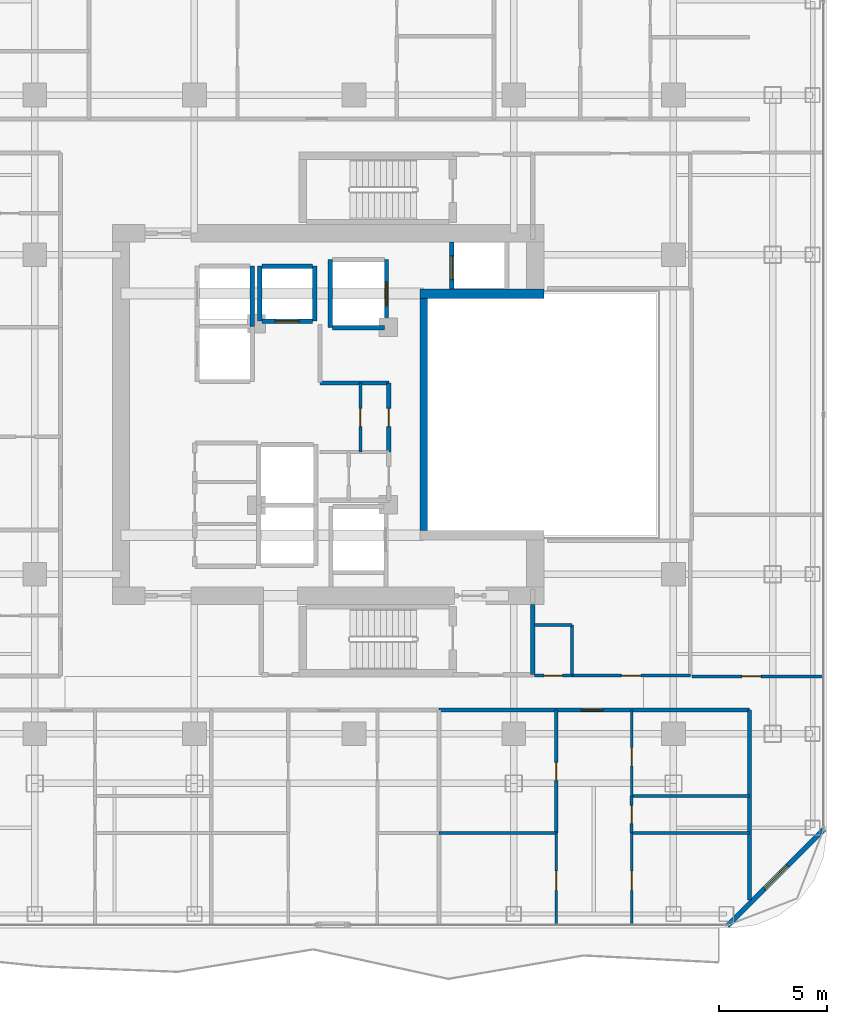
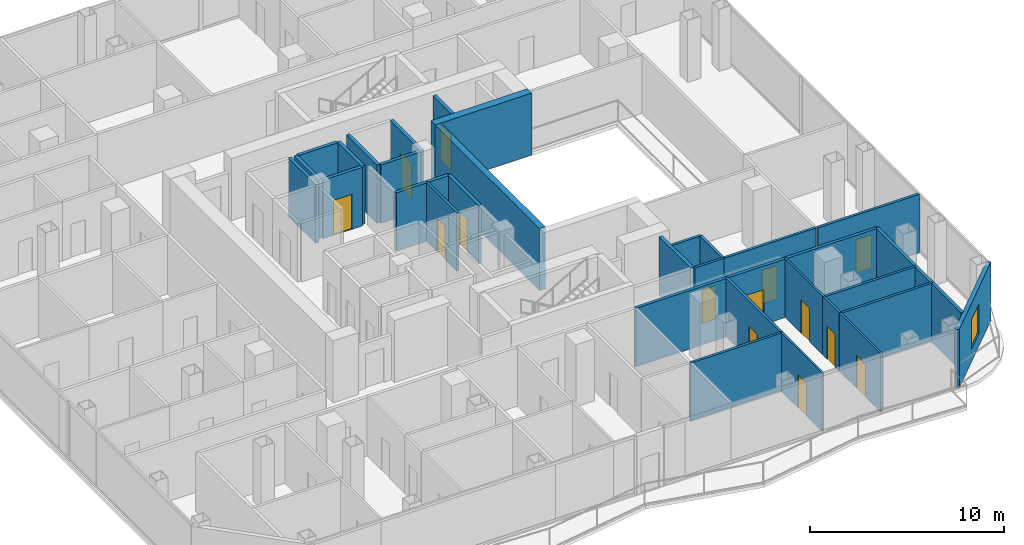
# One storey, part 21 of 27: 31 walls, 14 doors, 1 window, 15 openings.
"""IFC4 building model written with IfcOpenShell, lengths in metres."""

from ifc_helpers import new_model, si_unit, direction, frame, frame_2d, origin, place, context, subcontext, project, spatial, rectangle, extrude, material, layer, layer_set, type_object, element, fill, save


model = new_model("IFC4")

# Units and contexts
model_context = context("Model", 3, precision=1e-05, world=origin(), true_north=direction((0.0, 1.0)))
body_context = subcontext(model_context, "Body", "Model", "MODEL_VIEW")
ifc_project = project(units=[si_unit("LENGTHUNIT", "METRE"), si_unit("AREAUNIT", "SQUARE_METRE"), si_unit("VOLUMEUNIT", "CUBIC_METRE"), si_unit("PLANEANGLEUNIT", "RADIAN"), si_unit("MASSUNIT", "GRAM", prefix="KILO")], contexts=[model_context])

# Site, building, storey
site_placement = place(None, origin())
site = spatial("IfcSite", under=ifc_project, at=site_placement, CompositionType="ELEMENT")
building_placement = place(site_placement, origin())
building = spatial("IfcBuilding", under=site, at=building_placement, Name="Khorvyn Point Tower", CompositionType="ELEMENT")
storey_placement = place(building_placement, frame((0.0, 0.0, 179.699951171875)))
storey = spatial("IfcBuildingStorey", under=building, at=storey_placement, Name="L44", CompositionType="ELEMENT", Elevation=179.699951171875)

# Wall, opening, door
ifc_material_1 = material(Name="Double acoustic gypsum on twin steel stud", Category="steel")
ifc_layer_1 = layer(ifc_material_1, 0.179931640625)
ifc_layer_set_1 = layer_set([ifc_layer_1], Name="Acoustic Double-Stud Apartment Demising Wall 180")
wall_type_1 = type_object("IfcWallType", Name="Acoustic Double-Stud Apartment Demising Wall 180", PredefinedType="PARTITIONING", material=ifc_layer_set_1)
wall_1_placement = place(storey_placement, frame((3.929931640625, -13.699951171875, 0.0), z_axis=(0.0, 0.0, 1.0), x_axis=(1.0, 0.0, 0.0)))
wall_1 = element("IfcWall", 1, at=wall_1_placement, inside=storey, type_object=wall_type_1, Name="Wall", PredefinedType="PARTITIONING", context=body_context, shape_type="SweptSolid", body=[
    extrude(rectangle(XDim=14.39013671875, YDim=0.179931640625, at=frame_2d((7.195068359375, 0.0))), origin(), (0.0, 0.0, 1.0), 3.679931640625),
])
opening_1_placement = place(wall_1_placement, frame((6.60546875, 0.0, 0.0)))
opening_1 = element("IfcOpeningElement", 2, at=opening_1_placement, cuts=wall_1, Name="Opening ID-AP60", PredefinedType="OPENING", context=body_context, shape_type="SweptSolid", body=[
    extrude(rectangle(XDim=1.0, YDim=2.199951171875, at=frame_2d((0.5, 1.10009765625))), frame((0.0, 0.099853515625, 0.0), z_axis=(0.0, -1.0, 0.0), x_axis=(1.0, 0.0, 0.0)), (0.0, 0.0, 1.0), 0.199951171875),
])
ifc_material_2 = material(Name="Engineered hardwood fire-rated leaf", Category="wood")
door_type_1 = type_object("IfcDoorType", Name="Acoustic Solid-Core Timber Apartment Entrance Door 1000x2200", OperationType="NOTDEFINED", PredefinedType="DOOR", material=ifc_material_2)
door_1_placement = place(opening_1_placement, origin())
door_1 = element("IfcDoor", 3, at=door_1_placement, inside=storey, type_object=door_type_1, Name="Door", OperationType="SINGLE_SWING_LEFT", OverallHeight=2.199951171875, OverallWidth=1.0, PredefinedType="DOOR", context=body_context, shape_type="SweptSolid", body=[
    extrude(rectangle(XDim=1.0, YDim=2.199951171875, at=frame_2d((0.5, 1.10009765625))), frame((0.0, 0.02490234375, 0.0), z_axis=(0.0, -1.0, 0.0), x_axis=(1.0, 0.0, 0.0)), (0.0, 0.0, 1.0), 0.050048828125),
])
fill(opening_1, door_1)

# Wall
wall_2_placement = place(storey_placement, frame((18.320068359375, -22.510009765625, 0.0), z_axis=(0.0, 0.0, 1.0), x_axis=(0.0, 1.0, 0.0)))
element("IfcWall", 4, at=wall_2_placement, inside=storey, type_object=wall_type_1, Name="Wall", PredefinedType="PARTITIONING", context=body_context, shape_type="SweptSolid", body=[
    extrude(rectangle(XDim=8.81005859375, YDim=0.179931640625, at=frame_2d((4.405029296875, 0.0))), origin(), (0.0, 0.0, 1.0), 3.679931640625),
])

# Wall, opening, window
ifc_material_3 = material(Name="Pale anodised aluminium rainscreen on steel stud", Category="steel")
ifc_layer_2 = layer(ifc_material_3, 0.239990234375)
ifc_layer_set_2 = layer_set([ifc_layer_2], Name="Anodised Aluminium Insulated Corner Spandrel Wall 240")
wall_type_2 = type_object("IfcWallType", Name="Anodised Aluminium Insulated Corner Spandrel Wall 240", PredefinedType="SOLIDWALL", material=ifc_layer_set_2)
wall_3_placement = place(storey_placement, frame((21.79248046875, -19.20751953125, 0.0), z_axis=(0.0, 0.0, 1.0), x_axis=(-0.707106781187, -0.707106781187, 0.0)))
wall_3 = element("IfcWall", 5, at=wall_3_placement, inside=storey, type_object=wall_type_2, Name="L44 Rounded Corner Wall SE", PredefinedType="SOLIDWALL", context=body_context, shape_type="SweptSolid", body=[
    extrude(rectangle(XDim=6.342529296875, YDim=0.239990234375, at=frame_2d((3.17138671875, 0.0))), origin(), (0.0, 0.0, 1.0), 3.679931640625),
])
opening_2_placement = place(wall_3_placement, frame((2.42138671875, 0.0, 0.800048828125)))
opening_2 = element("IfcOpeningElement", 6, at=opening_2_placement, cuts=wall_3, Name="Opening WN-1518", PredefinedType="OPENING", context=body_context, shape_type="SweptSolid", body=[
    extrude(rectangle(XDim=1.5, YDim=1.85009765625, at=frame_2d((0.75, 0.925048828125))), frame((0.0, 0.1298828125, 0.0), z_axis=(0.0, -1.0, 0.0), x_axis=(1.0, 0.0, 0.0)), (0.0, 0.0, 1.0), 0.260009765625),
])
ifc_material_4 = material(Name="Anodised aluminium 6063-T6 and laminated Low-E glass", Category="aluminium")
window_type = type_object("IfcWindowType", Name="Anodised Aluminium Rounded-Corner Panoramic Window 1500x1850", PartitioningType="SINGLE_PANEL", PredefinedType="WINDOW", material=ifc_material_4)
window_placement = place(opening_2_placement, origin())
window = element("IfcWindow", 7, at=window_placement, inside=storey, type_object=window_type, Name="L44 Corner Panoramic Window SE", OverallHeight=1.85009765625, OverallWidth=1.5, PartitioningType="SINGLE_PANEL", PredefinedType="WINDOW", context=body_context, shape_type="SweptSolid", body=[
    extrude(rectangle(XDim=1.5, YDim=1.85009765625, at=frame_2d((0.75, 0.925048828125))), frame((0.0, 0.030029296875, 0.0), z_axis=(0.0, -1.0, 0.0), x_axis=(1.0, 0.0, 0.0)), (0.0, 0.0, 1.0), 0.06005859375),
])
fill(opening_2, window)

# Wall
ifc_material_5 = material(Name="Concrete C40/50", Category="concrete")
ifc_layer_3 = layer(ifc_material_5, 0.449951171875)
ifc_layer_set_3 = layer_set([ifc_layer_3], Name="Concrete C40/50 Core Shear Wall 450")
wall_type_3 = type_object("IfcWallType", Name="Concrete C40/50 Core Shear Wall 450", PredefinedType="SHEAR", material=ifc_layer_set_3)
wall_4_placement = place(storey_placement, frame((3.044921875, 5.60009765625, 0.0), z_axis=(0.0, 0.0, 1.0), x_axis=(1.0, 0.0, 0.0)))
element("IfcWall", 8, at=wall_4_placement, inside=storey, type_object=wall_type_3, Name="Wall", PredefinedType="SHEAR", context=body_context, shape_type="SweptSolid", body=[
    extrude(rectangle(XDim=5.755126953125, YDim=0.449951171875, at=frame_2d((2.87744140625, 0.0))), origin(), (0.0, 0.0, 1.0), 3.900146484375),
])

# Wall, opening, door
ifc_layer_4 = layer(ifc_material_5, 0.199951171875)
ifc_layer_set_4 = layer_set([ifc_layer_4], Name="Concrete C40/50 Fire-Lobby Compartment Wall 200")
wall_type_4 = type_object("IfcWallType", Name="Concrete C40/50 Fire-Lobby Compartment Wall 200", PredefinedType="SOLIDWALL", material=ifc_layer_set_4)
wall_5_placement = place(storey_placement, frame((1.610107421875, -1.739013671875, 0.0), z_axis=(0.0, 0.0, 1.0), x_axis=(0.0, 1.0, 0.0)))
wall_5 = element("IfcWall", 9, at=wall_5_placement, inside=storey, type_object=wall_type_4, Name="Wall", PredefinedType="SOLIDWALL", context=body_context, shape_type="SweptSolid", body=[
    extrude(rectangle(XDim=3.198974609375, YDim=0.199951171875, at=frame_2d((1.599609375, 0.0))), origin(), (0.0, 0.0, 1.0), 3.679931640625),
])
opening_3_placement = place(wall_5_placement, frame((1.174560546875, 0.0, 0.0)))
opening_3 = element("IfcOpeningElement", 10, at=opening_3_placement, cuts=wall_5, Name="Opening ID-WC85", PredefinedType="OPENING", context=body_context, shape_type="SweptSolid", body=[
    extrude(rectangle(XDim=0.85009765625, YDim=2.10009765625, at=frame_2d((0.425048828125, 1.050048828125))), frame((0.0, 0.10986328125, 0.0), z_axis=(0.0, -1.0, 0.0), x_axis=(1.0, 0.0, 0.0)), (0.0, 0.0, 1.0), 0.219970703125),
])
ifc_material_6 = material(Name="High-pressure laminate on moisture-resistant core", Category="wood")
door_type_2 = type_object("IfcDoorType", Name="Moisture-Resistant Accessible Washroom Door 850x2100", OperationType="NOTDEFINED", PredefinedType="DOOR", material=ifc_material_6)
door_2_placement = place(opening_3_placement, origin())
door_2 = element("IfcDoor", 11, at=door_2_placement, inside=storey, type_object=door_type_2, Name="Door", OperationType="SINGLE_SWING_LEFT", OverallHeight=2.10009765625, OverallWidth=0.85009765625, PredefinedType="DOOR", context=body_context, shape_type="SweptSolid", body=[
    extrude(rectangle(XDim=0.85009765625, YDim=2.10009765625, at=frame_2d((0.425048828125, 1.050048828125))), frame((0.0, 0.02490234375, 0.0), z_axis=(0.0, -1.0, 0.0), x_axis=(1.0, 0.0, 0.0)), (0.0, 0.0, 1.0), 0.050048828125),
])
fill(opening_3, door_2)

# Walls
wall_6_placement = place(storey_placement, frame((8.280029296875, -12.06005859375, 0.0), z_axis=(0.0, 0.0, 1.0), x_axis=(0.0, 1.0, 0.0)))
element("IfcWall", 12, at=wall_6_placement, inside=storey, type_object=wall_type_4, Name="Wall", PredefinedType="SOLIDWALL", context=body_context, shape_type="SweptSolid", body=[
    extrude(rectangle(XDim=3.260009765625, YDim=0.199951171875, at=frame_2d((1.6298828125, 0.0))), origin(), (0.0, 0.0, 1.0), 3.679931640625),
])
wall_7_placement = place(storey_placement, frame((-1.580078125, 1.4599609375, 0.0), z_axis=(0.0, 0.0, 1.0), x_axis=(1.0, 0.0, 0.0)))
element("IfcWall", 13, at=wall_7_placement, inside=storey, type_object=wall_type_4, Name="Wall", PredefinedType="SOLIDWALL", context=body_context, shape_type="SweptSolid", body=[
    extrude(rectangle(XDim=3.190185546875, YDim=0.199951171875, at=frame_2d((1.59521484375, 0.0))), origin(), (0.0, 0.0, 1.0), 3.679931640625),
])
ifc_layer_5 = layer(ifc_material_5, 0.35009765625)
ifc_layer_set_5 = layer_set([ifc_layer_5], Name="Concrete C40/50 Stair Shaft Structural Wall 350")
wall_type_5 = type_object("IfcWallType", Name="Concrete C40/50 Stair Shaft Structural Wall 350", PredefinedType="SHEAR", material=ifc_layer_set_5)
wall_8_placement = place(storey_placement, frame((3.219970703125, -5.375, 0.0), z_axis=(0.0, 0.0, 1.0), x_axis=(0.0, 1.0, 0.0)))
element("IfcWall", 14, at=wall_8_placement, inside=storey, type_object=wall_type_5, Name="Wall", PredefinedType="SHEAR", context=body_context, shape_type="SweptSolid", body=[
    extrude(rectangle(XDim=10.75, YDim=0.35009765625, at=frame_2d((5.375, 0.0))), origin(), (0.0, 0.0, 1.0), 3.900146484375),
])
ifc_layer_6 = layer(ifc_material_5, 0.199951171875)
ifc_layer_set_6 = layer_set([ifc_layer_6], Name="Concrete C40/50 Structural Hoistway and Stair Shaft Wall 200")
wall_type_6 = type_object("IfcWallType", Name="Concrete C40/50 Structural Hoistway and Stair Shaft Wall 200", PredefinedType="SHEAR", material=ifc_layer_set_6)
wall_9_placement = place(storey_placement, frame((-4.72509765625, 4.074951171875, 0.0), z_axis=(0.0, 0.0, 1.0), x_axis=(0.0, 1.0, 0.0)))
element("IfcWall", 15, at=wall_9_placement, inside=storey, type_object=wall_type_6, Name="Wall", PredefinedType="SHEAR", context=body_context, shape_type="SweptSolid", body=[
    extrude(rectangle(XDim=2.800048828125, YDim=0.199951171875, at=frame_2d((1.39990234375, 0.0))), origin(), (0.0, 0.0, 1.0), 3.679931640625),
])
for number, where, z_axis, x_axis, name in (
    (16, (-4.375, 4.324951171875, 0.0), (0.0, 0.0, 1.0), (0.0, 1.0, 0.0), "Wall"),
    (17, (-1.824951171875, 4.324951171875, 0.0), (0.0, 0.0, 1.0), (0.0, 1.0, 0.0), "Wall"),
):
    element("IfcWall", number, at=place(storey_placement, frame(where, z_axis=z_axis, x_axis=x_axis)), inside=storey, type_object=wall_type_6, Name=name, PredefinedType="SHEAR", context=body_context, shape_type="SweptSolid", body=[
        extrude(rectangle(XDim=2.550048828125, YDim=0.199951171875, at=frame_2d((1.27490234375, 0.0))), origin(), (0.0, 0.0, 1.0), 3.679931640625),
    ])

# Wall, opening, door
wall_10_placement = place(storey_placement, frame((-4.27490234375, 4.324951171875, 0.0), z_axis=(0.0, 0.0, 1.0), x_axis=(1.0, 0.0, 0.0)))
wall_10 = element("IfcWall", 18, at=wall_10_placement, inside=storey, type_object=wall_type_6, Name="Wall", PredefinedType="SHEAR", context=body_context, shape_type="SweptSolid", body=[
    extrude(rectangle(XDim=2.349853515625, YDim=0.199951171875, at=frame_2d((1.1748046875, 0.0))), origin(), (0.0, 0.0, 1.0), 3.679931640625),
])
opening_4_placement = place(wall_10_placement, frame((0.625, 0.0, 0.0)))
opening_4 = element("IfcOpeningElement", 19, at=opening_4_placement, cuts=wall_10, Name="Opening LD-1122", PredefinedType="OPENING", context=body_context, shape_type="SweptSolid", body=[
    extrude(rectangle(XDim=1.10009765625, YDim=2.199951171875, at=frame_2d((0.550048828125, 1.10009765625))), frame((0.0, 0.10986328125, 0.0), z_axis=(0.0, -1.0, 0.0), x_axis=(1.0, 0.0, 0.0)), (0.0, 0.0, 1.0), 0.219970703125),
])
ifc_material_7 = material(Name="Stainless steel 1.4301", Category="steel")
door_type_3 = type_object("IfcDoorType", Name="Stainless Steel Automatic Sliding Lift Landing Door 1100x2200", OperationType="SLIDING_TO_LEFT", PredefinedType="DOOR", material=ifc_material_7)
door_3_placement = place(opening_4_placement, origin())
door_3 = element("IfcDoor", 20, at=door_3_placement, inside=storey, type_object=door_type_3, Name="L44 RM-03 Sliding Lift Landing Door", OperationType="SLIDING_TO_LEFT", OverallHeight=2.199951171875, OverallWidth=1.10009765625, PredefinedType="DOOR", context=body_context, shape_type="SweptSolid", body=[
    extrude(rectangle(XDim=1.10009765625, YDim=2.199951171875, at=frame_2d((0.550048828125, 1.10009765625))), frame((0.0, 0.02490234375, 0.0), z_axis=(0.0, -1.0, 0.0), x_axis=(1.0, 0.0, 0.0)), (0.0, 0.0, 1.0), 0.050048828125),
])
fill(opening_4, door_3)

# Walls
wall_11_placement = place(storey_placement, frame((-4.27490234375, 6.875, 0.0), z_axis=(0.0, 0.0, 1.0), x_axis=(1.0, 0.0, 0.0)))
element("IfcWall", 21, at=wall_11_placement, inside=storey, type_object=wall_type_6, Name="Wall", PredefinedType="SHEAR", context=body_context, shape_type="SweptSolid", body=[
    extrude(rectangle(XDim=2.349853515625, YDim=0.199951171875, at=frame_2d((1.1748046875, 0.0))), origin(), (0.0, 0.0, 1.0), 3.679931640625),
])
wall_12_placement = place(storey_placement, frame((-1.10009765625, 4.02490234375, 0.0), z_axis=(0.0, 0.0, 1.0), x_axis=(0.0, 1.0, 0.0)))
element("IfcWall", 22, at=wall_12_placement, inside=storey, type_object=wall_type_6, Name="Wall", PredefinedType="SHEAR", context=body_context, shape_type="SweptSolid", body=[
    extrude(rectangle(XDim=3.150146484375, YDim=0.199951171875, at=frame_2d((1.5751953125, 0.0))), origin(), (0.0, 0.0, 1.0), 3.679931640625),
])

# Wall, opening, door
wall_13_placement = place(storey_placement, frame((1.5, 4.02490234375, 0.0), z_axis=(0.0, 0.0, 1.0), x_axis=(0.0, 1.0, 0.0)))
wall_13 = element("IfcWall", 23, at=wall_13_placement, inside=storey, type_object=wall_type_6, Name="Wall", PredefinedType="SHEAR", context=body_context, shape_type="SweptSolid", body=[
    extrude(rectangle(XDim=3.150146484375, YDim=0.199951171875, at=frame_2d((1.5751953125, 0.0))), origin(), (0.0, 0.0, 1.0), 3.679931640625),
])
opening_5_placement = place(wall_13_placement, frame((1.02490234375, 0.0, 0.0)))
opening_5 = element("IfcOpeningElement", 24, at=opening_5_placement, cuts=wall_13, Name="Opening LD-1122", PredefinedType="OPENING", context=body_context, shape_type="SweptSolid", body=[
    extrude(rectangle(XDim=1.10009765625, YDim=2.199951171875, at=frame_2d((0.550048828125, 1.10009765625))), frame((0.0, 0.10986328125, 0.0), z_axis=(0.0, -1.0, 0.0), x_axis=(1.0, 0.0, 0.0)), (0.0, 0.0, 1.0), 0.219970703125),
])
door_4_placement = place(opening_5_placement, origin())
door_4 = element("IfcDoor", 25, at=door_4_placement, inside=storey, type_object=door_type_3, Name="L44 SV-01 Sliding Lift Landing Door", OperationType="SLIDING_TO_LEFT", OverallHeight=2.199951171875, OverallWidth=1.10009765625, PredefinedType="DOOR", context=body_context, shape_type="SweptSolid", body=[
    extrude(rectangle(XDim=1.10009765625, YDim=2.199951171875, at=frame_2d((0.550048828125, 1.10009765625))), frame((0.0, 0.02490234375, 0.0), z_axis=(0.0, -1.0, 0.0), x_axis=(1.0, 0.0, 0.0)), (0.0, 0.0, 1.0), 0.050048828125),
])
fill(opening_5, door_4)

# Wall
wall_14_placement = place(storey_placement, frame((-1.0, 4.02490234375, 0.0), z_axis=(0.0, 0.0, 1.0), x_axis=(1.0, 0.0, 0.0)))
element("IfcWall", 26, at=wall_14_placement, inside=storey, type_object=wall_type_6, Name="Wall", PredefinedType="SHEAR", context=body_context, shape_type="SweptSolid", body=[
    extrude(rectangle(XDim=2.39990234375, YDim=0.199951171875, at=frame_2d((1.199951171875, 0.0))), origin(), (0.0, 0.0, 1.0), 3.679931640625),
])

# Wall, opening, door
wall_15_placement = place(storey_placement, frame((4.52490234375, 5.824951171875, 0.0), z_axis=(0.0, 0.0, 1.0), x_axis=(0.0, 1.0, 0.0)))
wall_15 = element("IfcWall", 27, at=wall_15_placement, inside=storey, type_object=wall_type_6, Name="Wall", PredefinedType="SHEAR", context=body_context, shape_type="SweptSolid", body=[
    extrude(rectangle(XDim=2.175048828125, YDim=0.199951171875, at=frame_2d((1.08740234375, 0.0))), origin(), (0.0, 0.0, 1.0), 3.679931640625),
])
opening_6_placement = place(wall_15_placement, frame((0.425048828125, 0.0, 0.0)))
opening_6 = element("IfcOpeningElement", 28, at=opening_6_placement, cuts=wall_15, Name="Opening LD-1122", PredefinedType="OPENING", context=body_context, shape_type="SweptSolid", body=[
    extrude(rectangle(XDim=1.10009765625, YDim=2.199951171875, at=frame_2d((0.550048828125, 1.10009765625))), frame((0.0, 0.10986328125, 0.0), z_axis=(0.0, -1.0, 0.0), x_axis=(1.0, 0.0, 0.0)), (0.0, 0.0, 1.0), 0.219970703125),
])
door_5_placement = place(opening_6_placement, origin())
door_5 = element("IfcDoor", 29, at=door_5_placement, inside=storey, type_object=door_type_3, Name="L44 FF-02 Sliding Lift Landing Door", OperationType="SLIDING_TO_LEFT", OverallHeight=2.199951171875, OverallWidth=1.10009765625, PredefinedType="DOOR", context=body_context, shape_type="SweptSolid", body=[
    extrude(rectangle(XDim=1.10009765625, YDim=2.199951171875, at=frame_2d((0.550048828125, 1.10009765625))), frame((0.0, 0.02490234375, 0.0), z_axis=(0.0, -1.0, 0.0), x_axis=(1.0, 0.0, 0.0)), (0.0, 0.0, 1.0), 0.050048828125),
])
fill(opening_6, door_5)

ifc_material_8 = material(Name="Gypsum plasterboard on steel stud", Category="steel")
ifc_layer_7 = layer(ifc_material_8, 0.1201171875)
ifc_layer_set_7 = layer_set([ifc_layer_7], Name="Gypsum Acoustic Stud Room Partition Wall 120")
wall_type_7 = type_object("IfcWallType", Name="Gypsum Acoustic Stud Room Partition Wall 120", PredefinedType="PARTITIONING", material=ifc_layer_set_7)
wall_16_placement = place(storey_placement, frame((9.3720703125, -23.6298828125, 0.0), z_axis=(0.0, 0.0, 1.0), x_axis=(0.0, 1.0, 0.0)))
wall_16 = element("IfcWall", 30, at=wall_16_placement, inside=storey, type_object=wall_type_7, Name="Wall", PredefinedType="PARTITIONING", context=body_context, shape_type="SweptSolid", body=[
    extrude(rectangle(XDim=4.239990234375, YDim=0.1201171875, at=frame_2d((2.1201171875, 0.0))), origin(), (0.0, 0.0, 1.0), 3.679931640625),
])
opening_7_placement = place(wall_16_placement, frame((1.581298828125, 0.0, 0.0)))
opening_7 = element("IfcOpeningElement", 31, at=opening_7_placement, cuts=wall_16, Name="Opening ID-RM90", PredefinedType="OPENING", context=body_context, shape_type="SweptSolid", body=[
    extrude(rectangle(XDim=0.89990234375, YDim=2.10009765625, at=frame_2d((0.449951171875, 1.050048828125))), frame((0.0, 0.070068359375, 0.0), z_axis=(0.0, -1.0, 0.0), x_axis=(1.0, 0.0, 0.0)), (0.0, 0.0, 1.0), 0.14013671875),
])
ifc_material_9 = material(Name="Engineered oak veneer timber", Category="wood")
door_type_4 = type_object("IfcDoorType", Name="Flush Engineered Timber Room Door 900x2100", OperationType="NOTDEFINED", PredefinedType="DOOR", material=ifc_material_9)
door_6_placement = place(opening_7_placement, origin())
door_6 = element("IfcDoor", 32, at=door_6_placement, inside=storey, type_object=door_type_4, Name="Door", OperationType="SINGLE_SWING_LEFT", OverallHeight=2.10009765625, OverallWidth=0.89990234375, PredefinedType="DOOR", context=body_context, shape_type="SweptSolid", body=[
    extrude(rectangle(XDim=0.89990234375, YDim=2.10009765625, at=frame_2d((0.449951171875, 1.050048828125))), frame((0.0, 0.02490234375, 0.0), z_axis=(0.0, -1.0, 0.0), x_axis=(1.0, 0.0, 0.0)), (0.0, 0.0, 1.0), 0.050048828125),
])
fill(opening_7, door_6)

wall_17_placement = place(storey_placement, frame((12.85888671875, -17.68310546875, 0.0), z_axis=(0.0, 0.0, 1.0), x_axis=(0.0, 1.0, 0.0)))
wall_17 = element("IfcWall", 33, at=wall_17_placement, inside=storey, type_object=wall_type_7, Name="Wall", PredefinedType="PARTITIONING", context=body_context, shape_type="SweptSolid", body=[
    extrude(rectangle(XDim=3.983154296875, YDim=0.1201171875, at=frame_2d((1.99169921875, 0.0))), origin(), (0.0, 0.0, 1.0), 3.679931640625),
])
opening_8_placement = place(wall_17_placement, frame((1.390625, 0.0, 0.0)))
opening_8 = element("IfcOpeningElement", 34, at=opening_8_placement, cuts=wall_17, Name="Opening ID-WC85", PredefinedType="OPENING", context=body_context, shape_type="SweptSolid", body=[
    extrude(rectangle(XDim=0.85009765625, YDim=2.10009765625, at=frame_2d((0.425048828125, 1.050048828125))), frame((0.0, 0.070068359375, 0.0), z_axis=(0.0, -1.0, 0.0), x_axis=(1.0, 0.0, 0.0)), (0.0, 0.0, 1.0), 0.14013671875),
])
door_7_placement = place(opening_8_placement, origin())
door_7 = element("IfcDoor", 35, at=door_7_placement, inside=storey, type_object=door_type_2, Name="Door", OperationType="SINGLE_SWING_LEFT", OverallHeight=2.10009765625, OverallWidth=0.85009765625, PredefinedType="DOOR", context=body_context, shape_type="SweptSolid", body=[
    extrude(rectangle(XDim=0.85009765625, YDim=2.10009765625, at=frame_2d((0.425048828125, 1.050048828125))), frame((0.0, 0.02490234375, 0.0), z_axis=(0.0, -1.0, 0.0), x_axis=(1.0, 0.0, 0.0)), (0.0, 0.0, 1.0), 0.050048828125),
])
fill(opening_8, door_7)

wall_18_placement = place(storey_placement, frame((12.85888671875, -23.6298828125, 0.0), z_axis=(0.0, 0.0, 1.0), x_axis=(0.0, 1.0, 0.0)))
wall_18 = element("IfcWall", 36, at=wall_18_placement, inside=storey, type_object=wall_type_7, Name="Wall", PredefinedType="PARTITIONING", context=body_context, shape_type="SweptSolid", body=[
    extrude(rectangle(XDim=4.239990234375, YDim=0.1201171875, at=frame_2d((2.1201171875, 0.0))), origin(), (0.0, 0.0, 1.0), 3.679931640625),
])
opening_9_placement = place(wall_18_placement, frame((1.581298828125, 0.0, 0.0)))
opening_9 = element("IfcOpeningElement", 37, at=opening_9_placement, cuts=wall_18, Name="Opening ID-RM90", PredefinedType="OPENING", context=body_context, shape_type="SweptSolid", body=[
    extrude(rectangle(XDim=0.89990234375, YDim=2.10009765625, at=frame_2d((0.449951171875, 1.050048828125))), frame((0.0, 0.070068359375, 0.0), z_axis=(0.0, -1.0, 0.0), x_axis=(1.0, 0.0, 0.0)), (0.0, 0.0, 1.0), 0.14013671875),
])
door_8_placement = place(opening_9_placement, origin())
door_8 = element("IfcDoor", 38, at=door_8_placement, inside=storey, type_object=door_type_4, Name="Door", OperationType="SINGLE_SWING_RIGHT", OverallHeight=2.10009765625, OverallWidth=0.89990234375, PredefinedType="DOOR", context=body_context, shape_type="SweptSolid", body=[
    extrude(rectangle(XDim=0.89990234375, YDim=2.10009765625, at=frame_2d((0.449951171875, 1.050048828125))), frame((0.0, 0.02490234375, 0.0), z_axis=(0.0, -1.0, 0.0), x_axis=(1.0, 0.0, 0.0)), (0.0, 0.0, 1.0), 0.050048828125),
])
fill(opening_9, door_8)

ifc_material_10 = material(Name="Moisture-resistant gypsum and cement board", Category="gypsum")
ifc_layer_8 = layer(ifc_material_10, 0.14990234375)
ifc_layer_set_8 = layer_set([ifc_layer_8], Name="Moisture-Resistant Wet-Room Partition Wall 150")
wall_type_8 = type_object("IfcWallType", Name="Moisture-Resistant Wet-Room Partition Wall 150", PredefinedType="PARTITIONING", material=ifc_layer_set_8)
wall_19_placement = place(storey_placement, frame((0.2900390625, -1.739013671875, 0.0), z_axis=(0.0, 0.0, 1.0), x_axis=(0.0, 1.0, 0.0)))
wall_19 = element("IfcWall", 39, at=wall_19_placement, inside=storey, type_object=wall_type_8, Name="Wall", PredefinedType="PARTITIONING", context=body_context, shape_type="SweptSolid", body=[
    extrude(rectangle(XDim=3.198974609375, YDim=0.14990234375, at=frame_2d((1.599609375, 0.0))), origin(), (0.0, 0.0, 1.0), 3.679931640625),
])
opening_10_placement = place(wall_19_placement, frame((1.174560546875, 0.0, 0.0)))
opening_10 = element("IfcOpeningElement", 40, at=opening_10_placement, cuts=wall_19, Name="Opening ID-WC85", PredefinedType="OPENING", context=body_context, shape_type="SweptSolid", body=[
    extrude(rectangle(XDim=0.85009765625, YDim=2.10009765625, at=frame_2d((0.425048828125, 1.050048828125))), frame((0.0, 0.0849609375, 0.0), z_axis=(0.0, -1.0, 0.0), x_axis=(1.0, 0.0, 0.0)), (0.0, 0.0, 1.0), 0.169921875),
])
door_9_placement = place(opening_10_placement, origin())
door_9 = element("IfcDoor", 41, at=door_9_placement, inside=storey, type_object=door_type_2, Name="Door", OperationType="SINGLE_SWING_LEFT", OverallHeight=2.10009765625, OverallWidth=0.85009765625, PredefinedType="DOOR", context=body_context, shape_type="SweptSolid", body=[
    extrude(rectangle(XDim=0.85009765625, YDim=2.10009765625, at=frame_2d((0.425048828125, 1.050048828125))), frame((0.0, 0.02490234375, 0.0), z_axis=(0.0, -1.0, 0.0), x_axis=(1.0, 0.0, 0.0)), (0.0, 0.0, 1.0), 0.050048828125),
])
fill(opening_10, door_9)

wall_20_placement = place(storey_placement, frame((8.360107421875, -12.10009765625, 0.0), z_axis=(0.0, 0.0, 1.0), x_axis=(1.0, 0.0, 0.0)))
wall_20 = element("IfcWall", 42, at=wall_20_placement, inside=storey, type_object=wall_type_8, Name="Wall", PredefinedType="PARTITIONING", context=body_context, shape_type="SweptSolid", body=[
    extrude(rectangle(XDim=1.739990234375, YDim=0.14990234375, at=frame_2d((0.8701171875, 0.0))), origin(), (0.0, 0.0, 1.0), 3.679931640625),
])
opening_11_placement = place(wall_20_placement, frame((0.445068359375, 0.0, 0.0)))
opening_11 = element("IfcOpeningElement", 43, at=opening_11_placement, cuts=wall_20, Name="Opening ID-WC85", PredefinedType="OPENING", context=body_context, shape_type="SweptSolid", body=[
    extrude(rectangle(XDim=0.85009765625, YDim=2.10009765625, at=frame_2d((0.425048828125, 1.050048828125))), frame((0.0, 0.0849609375, 0.0), z_axis=(0.0, -1.0, 0.0), x_axis=(1.0, 0.0, 0.0)), (0.0, 0.0, 1.0), 0.169921875),
])
door_10_placement = place(opening_11_placement, origin())
door_10 = element("IfcDoor", 44, at=door_10_placement, inside=storey, type_object=door_type_2, Name="Door", OperationType="SINGLE_SWING_LEFT", OverallHeight=2.10009765625, OverallWidth=0.85009765625, PredefinedType="DOOR", context=body_context, shape_type="SweptSolid", body=[
    extrude(rectangle(XDim=0.85009765625, YDim=2.10009765625, at=frame_2d((0.425048828125, 1.050048828125))), frame((0.0, 0.02490234375, 0.0), z_axis=(0.0, -1.0, 0.0), x_axis=(1.0, 0.0, 0.0)), (0.0, 0.0, 1.0), 0.050048828125),
])
fill(opening_11, door_10)

wall_21_placement = place(storey_placement, frame((10.10009765625, -12.10009765625, 0.0), z_axis=(0.0, 0.0, 1.0), x_axis=(1.0, 0.0, 0.0)))
wall_21 = element("IfcWall", 45, at=wall_21_placement, inside=storey, type_object=wall_type_8, Name="Wall", PredefinedType="PARTITIONING", context=body_context, shape_type="SweptSolid", body=[
    extrude(rectangle(XDim=5.47998046875, YDim=0.14990234375, at=frame_2d((2.739990234375, 0.0))), origin(), (0.0, 0.0, 1.0), 3.679931640625),
])
opening_12_placement = place(wall_21_placement, frame((2.2900390625, 0.0, 0.0)))
opening_12 = element("IfcOpeningElement", 46, at=opening_12_placement, cuts=wall_21, Name="Opening ID-RM90", PredefinedType="OPENING", context=body_context, shape_type="SweptSolid", body=[
    extrude(rectangle(XDim=0.89990234375, YDim=2.10009765625, at=frame_2d((0.449951171875, 1.050048828125))), frame((0.0, 0.0849609375, 0.0), z_axis=(0.0, -1.0, 0.0), x_axis=(1.0, 0.0, 0.0)), (0.0, 0.0, 1.0), 0.169921875),
])
door_11_placement = place(opening_12_placement, origin())
door_11 = element("IfcDoor", 47, at=door_11_placement, inside=storey, type_object=door_type_4, Name="Door", OperationType="SINGLE_SWING_RIGHT", OverallHeight=2.10009765625, OverallWidth=0.89990234375, PredefinedType="DOOR", context=body_context, shape_type="SweptSolid", body=[
    extrude(rectangle(XDim=0.89990234375, YDim=2.10009765625, at=frame_2d((0.449951171875, 1.050048828125))), frame((0.0, 0.02490234375, 0.0), z_axis=(0.0, -1.0, 0.0), x_axis=(1.0, 0.0, 0.0)), (0.0, 0.0, 1.0), 0.050048828125),
])
fill(opening_12, door_11)

wall_22_placement = place(storey_placement, frame((9.3720703125, -19.389892578125, 0.0), z_axis=(0.0, 0.0, 1.0), x_axis=(0.0, 1.0, 0.0)))
wall_22 = element("IfcWall", 48, at=wall_22_placement, inside=storey, type_object=wall_type_8, Name="Wall", PredefinedType="PARTITIONING", context=body_context, shape_type="SweptSolid", body=[
    extrude(rectangle(XDim=5.68994140625, YDim=0.14990234375, at=frame_2d((2.844970703125, 0.0))), origin(), (0.0, 0.0, 1.0), 3.679931640625),
])
opening_13_placement = place(wall_22_placement, frame((2.419921875, 0.0, 0.0)))
opening_13 = element("IfcOpeningElement", 49, at=opening_13_placement, cuts=wall_22, Name="Opening ID-WC85", PredefinedType="OPENING", context=body_context, shape_type="SweptSolid", body=[
    extrude(rectangle(XDim=0.85009765625, YDim=2.10009765625, at=frame_2d((0.425048828125, 1.050048828125))), frame((0.0, 0.0849609375, 0.0), z_axis=(0.0, -1.0, 0.0), x_axis=(1.0, 0.0, 0.0)), (0.0, 0.0, 1.0), 0.169921875),
])
door_12_placement = place(opening_13_placement, origin())
door_12 = element("IfcDoor", 50, at=door_12_placement, inside=storey, type_object=door_type_2, Name="Door", OperationType="SINGLE_SWING_RIGHT", OverallHeight=2.10009765625, OverallWidth=0.85009765625, PredefinedType="DOOR", context=body_context, shape_type="SweptSolid", body=[
    extrude(rectangle(XDim=0.85009765625, YDim=2.10009765625, at=frame_2d((0.425048828125, 1.050048828125))), frame((0.0, 0.02490234375, 0.0), z_axis=(0.0, -1.0, 0.0), x_axis=(1.0, 0.0, 0.0)), (0.0, 0.0, 1.0), 0.050048828125),
])
fill(opening_13, door_12)

wall_23_placement = place(storey_placement, frame((12.85888671875, -19.389892578125, 0.0), z_axis=(0.0, 0.0, 1.0), x_axis=(0.0, 1.0, 0.0)))
wall_23 = element("IfcWall", 51, at=wall_23_placement, inside=storey, type_object=wall_type_8, Name="Wall", PredefinedType="PARTITIONING", context=body_context, shape_type="SweptSolid", body=[
    extrude(rectangle(XDim=1.706787109375, YDim=0.14990234375, at=frame_2d((0.853515625, 0.0))), origin(), (0.0, 0.0, 1.0), 3.679931640625),
])
opening_14_placement = place(wall_23_placement, frame((0.428466796875, 0.0, 0.0)))
opening_14 = element("IfcOpeningElement", 52, at=opening_14_placement, cuts=wall_23, Name="Opening ID-WC85", PredefinedType="OPENING", context=body_context, shape_type="SweptSolid", body=[
    extrude(rectangle(XDim=0.85009765625, YDim=2.10009765625, at=frame_2d((0.425048828125, 1.050048828125))), frame((0.0, 0.0849609375, 0.0), z_axis=(0.0, -1.0, 0.0), x_axis=(1.0, 0.0, 0.0)), (0.0, 0.0, 1.0), 0.169921875),
])
door_13_placement = place(opening_14_placement, origin())
door_13 = element("IfcDoor", 53, at=door_13_placement, inside=storey, type_object=door_type_2, Name="Door", OperationType="SINGLE_SWING_RIGHT", OverallHeight=2.10009765625, OverallWidth=0.85009765625, PredefinedType="DOOR", context=body_context, shape_type="SweptSolid", body=[
    extrude(rectangle(XDim=0.85009765625, YDim=2.10009765625, at=frame_2d((0.425048828125, 1.050048828125))), frame((0.0, 0.02490234375, 0.0), z_axis=(0.0, -1.0, 0.0), x_axis=(1.0, 0.0, 0.0)), (0.0, 0.0, 1.0), 0.050048828125),
])
fill(opening_14, door_13)

wall_24_placement = place(storey_placement, frame((15.64990234375, -12.139892578125, 0.0), z_axis=(0.0, 0.0, 1.0), x_axis=(1.0, 0.0, 0.0)))
wall_24 = element("IfcWall", 54, at=wall_24_placement, inside=storey, type_object=wall_type_8, Name="Wall", PredefinedType="PARTITIONING", context=body_context, shape_type="SweptSolid", body=[
    extrude(rectangle(XDim=6.070068359375, YDim=0.14990234375, at=frame_2d((3.03515625, 0.0))), origin(), (0.0, 0.0, 1.0), 3.679931640625),
])
opening_15_placement = place(wall_24_placement, frame((2.315673828125, 0.0, 0.0)))
opening_15 = element("IfcOpeningElement", 55, at=opening_15_placement, cuts=wall_24, Name="Opening ID-RM90", PredefinedType="OPENING", context=body_context, shape_type="SweptSolid", body=[
    extrude(rectangle(XDim=0.89990234375, YDim=2.10009765625, at=frame_2d((0.449951171875, 1.050048828125))), frame((0.0, 0.0849609375, 0.0), z_axis=(0.0, -1.0, 0.0), x_axis=(1.0, 0.0, 0.0)), (0.0, 0.0, 1.0), 0.169921875),
])
door_14_placement = place(opening_15_placement, origin())
door_14 = element("IfcDoor", 56, at=door_14_placement, inside=storey, type_object=door_type_4, Name="Door", OperationType="SINGLE_SWING_LEFT", OverallHeight=2.10009765625, OverallWidth=0.89990234375, PredefinedType="DOOR", context=body_context, shape_type="SweptSolid", body=[
    extrude(rectangle(XDim=0.89990234375, YDim=2.10009765625, at=frame_2d((0.449951171875, 1.050048828125))), frame((0.0, 0.02490234375, 0.0), z_axis=(0.0, -1.0, 0.0), x_axis=(1.0, 0.0, 0.0)), (0.0, 0.0, 1.0), 0.050048828125),
])
fill(opening_15, door_14)

# Walls
wall_25_placement = place(storey_placement, frame((8.360107421875, -9.75, 0.0), z_axis=(0.0, 0.0, 1.0), x_axis=(1.0, 0.0, 0.0)))
element("IfcWall", 57, at=wall_25_placement, inside=storey, type_object=wall_type_8, Name="Wall", PredefinedType="PARTITIONING", context=body_context, shape_type="SweptSolid", body=[
    extrude(rectangle(XDim=1.739990234375, YDim=0.14990234375, at=frame_2d((0.8701171875, 0.0))), origin(), (0.0, 0.0, 1.0), 3.679931640625),
])
wall_26_placement = place(storey_placement, frame((10.10009765625, -12.10009765625, 0.0), z_axis=(0.0, 0.0, 1.0), x_axis=(0.0, 1.0, 0.0)))
element("IfcWall", 58, at=wall_26_placement, inside=storey, type_object=wall_type_8, Name="Wall", PredefinedType="PARTITIONING", context=body_context, shape_type="SweptSolid", body=[
    extrude(rectangle(XDim=2.35009765625, YDim=0.14990234375, at=frame_2d((1.175048828125, 0.0))), origin(), (0.0, 0.0, 1.0), 3.679931640625),
])
wall_27_placement = place(storey_placement, frame((3.929931640625, -19.389892578125, 0.0), z_axis=(0.0, 0.0, 1.0), x_axis=(1.0, 0.0, 0.0)))
element("IfcWall", 59, at=wall_27_placement, inside=storey, type_object=wall_type_8, Name="Wall", PredefinedType="PARTITIONING", context=body_context, shape_type="SweptSolid", body=[
    extrude(rectangle(XDim=5.442138671875, YDim=0.14990234375, at=frame_2d((2.72119140625, 0.0))), origin(), (0.0, 0.0, 1.0), 3.679931640625),
])
for number, where, z_axis, x_axis, name in (
    (60, (12.85888671875, -17.68310546875, 0.0), (0.0, 0.0, 1.0), (1.0, 0.0, 0.0), "Wall"),
    (61, (12.85888671875, -19.389892578125, 0.0), (0.0, 0.0, 1.0), (1.0, 0.0, 0.0), "Wall"),
):
    element("IfcWall", number, at=place(storey_placement, frame(where, z_axis=z_axis, x_axis=x_axis)), inside=storey, type_object=wall_type_8, Name=name, PredefinedType="PARTITIONING", context=body_context, shape_type="SweptSolid", body=[
        extrude(rectangle(XDim=5.461181640625, YDim=0.14990234375, at=frame_2d((2.73046875, 0.0))), origin(), (0.0, 0.0, 1.0), 3.679931640625),
    ])

save(model, "model.ifc")
